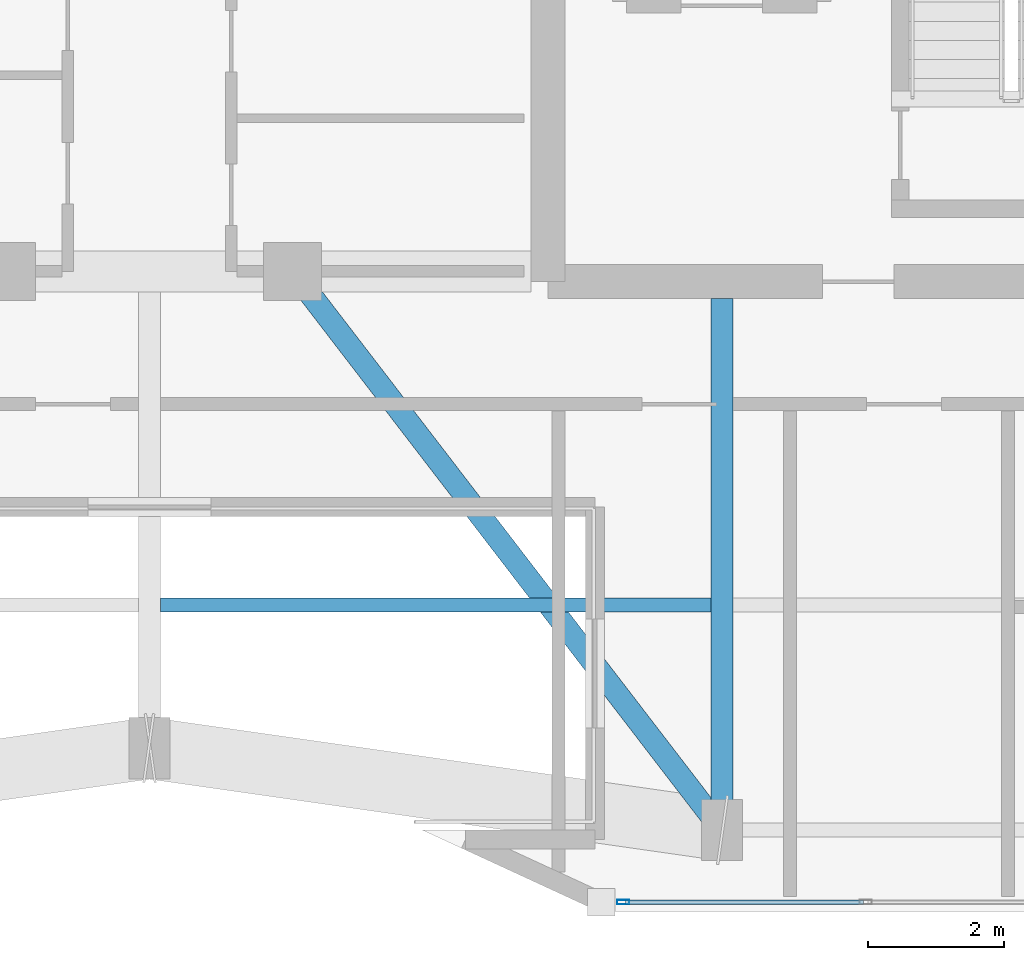
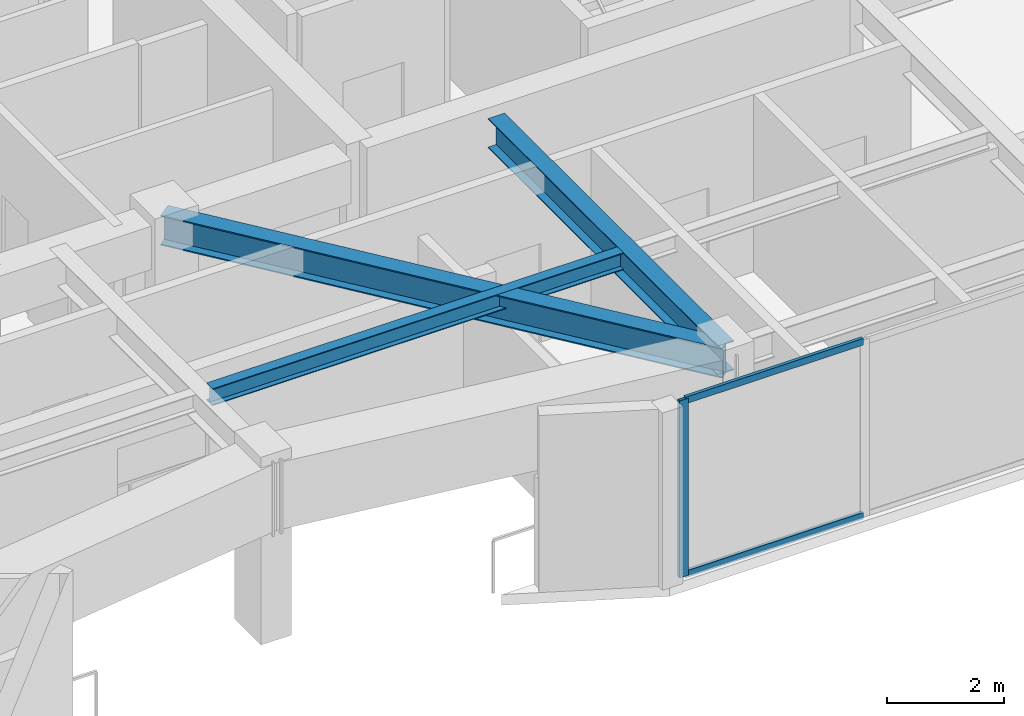
# One storey, part 2 of 16: 3 beams, 3 members, 1 element without a shape of its own.
"""IFC4 building model written with IfcOpenShell, lengths in metres."""

from ifc_helpers import new_model, si_unit, direction, frame, origin, origin_2d, place, context, subcontext, project, spatial, hollow_rectangle, i_section, extrude, material, layer, layer_set, material_profile, profile_set, type_object, element, aggregate, save


model = new_model("IFC4")

# Units and contexts
model_context = context("Model", 3, precision=1e-05, world=origin(), true_north=direction((0.0, 1.0)))
body_context = subcontext(model_context, "Body", "Model", "MODEL_VIEW")
ifc_project = project(units=[si_unit("LENGTHUNIT", "METRE"), si_unit("AREAUNIT", "SQUARE_METRE"), si_unit("VOLUMEUNIT", "CUBIC_METRE"), si_unit("PLANEANGLEUNIT", "RADIAN"), si_unit("MASSUNIT", "GRAM", prefix="KILO")], contexts=[model_context])

# Site, building, storey
site_placement = place(None, origin())
site = spatial("IfcSite", under=ifc_project, at=site_placement, CompositionType="ELEMENT")
building_placement = place(site_placement, origin())
building = spatial("IfcBuilding", under=site, at=building_placement, Name="Kiyonajd Concourse Tower", CompositionType="ELEMENT")
storey_placement = place(building_placement, frame((0.0, 0.0, 298.5)))
storey = spatial("IfcBuildingStorey", under=building, at=storey_placement, Name="L75", CompositionType="ELEMENT", Elevation=298.5)

# Beams
ifc_material_1 = material(Name="Steel ASTM A992 Grade 50", Category="steel")
ifc_material_profile_1 = material_profile(ifc_material_1, i_section(OverallWidth=0.205078125, OverallDepth=0.35400390625, WebThickness=0.009521484375, FlangeThickness=0.016845703125, at=origin_2d()), Name="W360X79")
ifc_profile_set_1 = profile_set([ifc_material_profile_1], Name="Steel ASTM A992 Grade 50")
beam_type_1 = type_object("IfcBeamType", Name="BM-JST-360", PredefinedType="JOIST", material=ifc_profile_set_1)
beam_1_placement = place(storey_placement, frame((48.162109375, 23.10009765625, 3.5029296875), z_axis=(1.0, 0.0, 0.0), x_axis=(0.0, 1.0, 0.0)))
element("IfcBeam", 1, at=beam_1_placement, inside=storey, type_object=beam_type_1, Name="L75 Secondary Floor Joist", PredefinedType="JOIST", context=body_context, shape_type="SweptSolid", body=[
    extrude(i_section(OverallWidth=0.205078125, OverallDepth=0.35400390625, WebThickness=0.009521484375, FlangeThickness=0.016845703125, at=origin_2d()), origin(), (0.0, 0.0, 1.0), 8.075927734375),
])
ifc_material_profile_2 = material_profile(ifc_material_1, i_section(OverallWidth=0.326904296875, OverallDepth=0.6220703125, WebThickness=0.015380859375, FlangeThickness=0.0244140625, at=origin_2d()), Name="W610X195")
ifc_profile_set_2 = profile_set([ifc_material_profile_2], Name="Steel ASTM A992 Grade 50")
beam_type_2 = type_object("IfcBeamType", Name="BM-TWR-610A", PredefinedType="BEAM", material=ifc_profile_set_2)
beam_2_placement = place(storey_placement, frame((50.10009765625, 28.0, 3.368896484375), z_axis=(0.609233709922, -0.792990722956, 0.0), x_axis=(0.792990722956, 0.609233709922, 0.0)))
element("IfcBeam", 2, at=beam_2_placement, inside=storey, type_object=beam_type_2, Name="L75 Core Tie Girder", PredefinedType="BEAM", context=body_context, shape_type="SweptSolid", body=[
    extrude(i_section(OverallWidth=0.326904296875, OverallDepth=0.6220703125, WebThickness=0.015380859375, FlangeThickness=0.0244140625, at=origin_2d()), origin(), (0.0, 0.0, 1.0), 10.340576171875),
])
ifc_material_profile_3 = material_profile(ifc_material_1, i_section(OverallWidth=0.323974609375, OverallDepth=0.611083984375, WebThickness=0.0126953125, FlangeThickness=0.01904296875, at=origin_2d()), Name="W610X155")
ifc_profile_set_3 = profile_set([ifc_material_profile_3], Name="Steel ASTM A992 Grade 50")
beam_type_3 = type_object("IfcBeamType", Name="BM-TWR-610B", PredefinedType="BEAM", material=ifc_profile_set_3)
beam_3_placement = place(storey_placement, frame((56.39990234375, 19.800048828125, 3.37451171875), z_axis=(0.0, 1.0, 0.0), x_axis=(-1.0, 0.0, 0.0)))
element("IfcBeam", 3, at=beam_3_placement, inside=storey, type_object=beam_type_3, Name="L75 South Lease Girder", PredefinedType="BEAM", context=body_context, shape_type="SweptSolid", body=[
    extrude(i_section(OverallWidth=0.323974609375, OverallDepth=0.611083984375, WebThickness=0.0126953125, FlangeThickness=0.01904296875, at=origin_2d()), origin(), (0.0, 0.0, 1.0), 7.800048828125),
])

# Curtain wall, members
ifc_material_2 = material(Name="Thermally Broken Anodised Aluminium", Category="aluminium")
ifc_layer = layer(ifc_material_2, 0.179931640625)
ifc_layer_set = layer_set([ifc_layer], Name="Thermally Broken Anodised Aluminium")
curtain_wall_type = type_object("IfcCurtainWallType", Name="CW-SYS-04", PredefinedType="NOTDEFINED", material=ifc_layer_set)
curtain_wall_placement = place(storey_placement, origin())
curtain_wall = element("IfcCurtainWall", 4, at=curtain_wall_placement, inside=storey, type_object=curtain_wall_type, Name="L75 Unitised Curtain Wall CW4", PredefinedType="NOTDEFINED")
ifc_material_profile_4 = material_profile(ifc_material_2, hollow_rectangle(XDim=0.06494140625, YDim=0.179931640625, WallThickness=0.00390625, at=origin_2d()), Name="MULL-65x180")
ifc_profile_set_4 = profile_set([ifc_material_profile_4], Name="Thermally Broken Anodised Aluminium")
member_type_1 = type_object("IfcMemberType", Name="MB-CW-MULL1", PredefinedType="MULLION", material=ifc_profile_set_4)
member_1_placement = place(storey_placement, frame((54.953125, 18.739990234375, 0.0), z_axis=(0.0, 0.0, 1.0), x_axis=(0.0, -1.0, 0.0)))
member_1 = element("IfcMember", 5, at=member_1_placement, type_object=member_type_1, Name="CW4 mullion 4", PredefinedType="MULLION", context=body_context, shape_type="SweptSolid", body=[
    extrude(hollow_rectangle(XDim=0.06494140625, YDim=0.179931640625, WallThickness=0.00390625, at=origin_2d()), origin(), (0.0, 0.0, 1.0), 3.679931640625),
])
ifc_material_profile_5 = material_profile(ifc_material_2, hollow_rectangle(XDim=0.06494140625, YDim=0.139892578125, WallThickness=0.00390625, at=origin_2d()), Name="TRAN-65x140")
ifc_profile_set_5 = profile_set([ifc_material_profile_5], Name="Thermally Broken Anodised Aluminium")
member_type_2 = type_object("IfcMemberType", Name="MB-CW-TRAN1", PredefinedType="USERDEFINED", material=ifc_profile_set_5)
member_2_placement = place(storey_placement, frame((58.478515625, 18.739990234375, 0.032470703125), z_axis=(-1.0, 0.0, 0.0), x_axis=(0.0, -1.0, 0.0)))
member_2 = element("IfcMember", 6, at=member_2_placement, type_object=member_type_2, Name="CW4 transom 3.1", ObjectType="TRANSOM", PredefinedType="USERDEFINED", context=body_context, shape_type="SweptSolid", body=[
    extrude(hollow_rectangle(XDim=0.06494140625, YDim=0.139892578125, WallThickness=0.00390625, at=origin_2d()), origin(), (0.0, 0.0, 1.0), 3.492919921875),
])
member_3_placement = place(storey_placement, frame((58.478515625, 18.739990234375, 3.6474609375), z_axis=(-1.0, 0.0, 0.0), x_axis=(0.0, -1.0, 0.0)))
member_3 = element("IfcMember", 7, at=member_3_placement, type_object=member_type_2, Name="CW4 transom 3.2", ObjectType="TRANSOM", PredefinedType="USERDEFINED", context=body_context, shape_type="SweptSolid", body=[
    extrude(hollow_rectangle(XDim=0.06494140625, YDim=0.139892578125, WallThickness=0.00390625, at=origin_2d()), origin(), (0.0, 0.0, 1.0), 3.492919921875),
])
aggregate(curtain_wall, [member_1, member_2, member_3])

save(model, "model.ifc")
